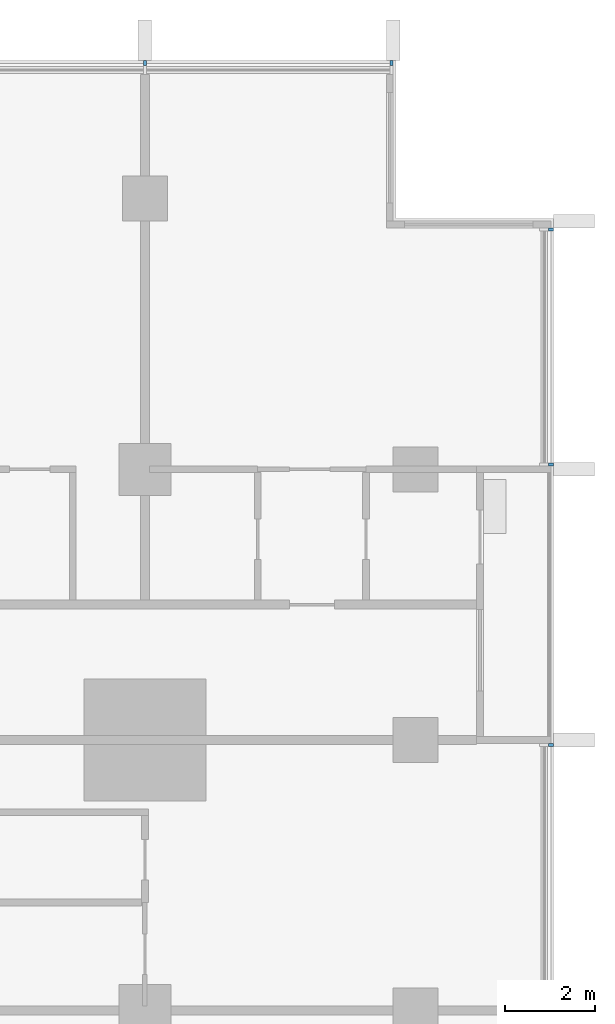
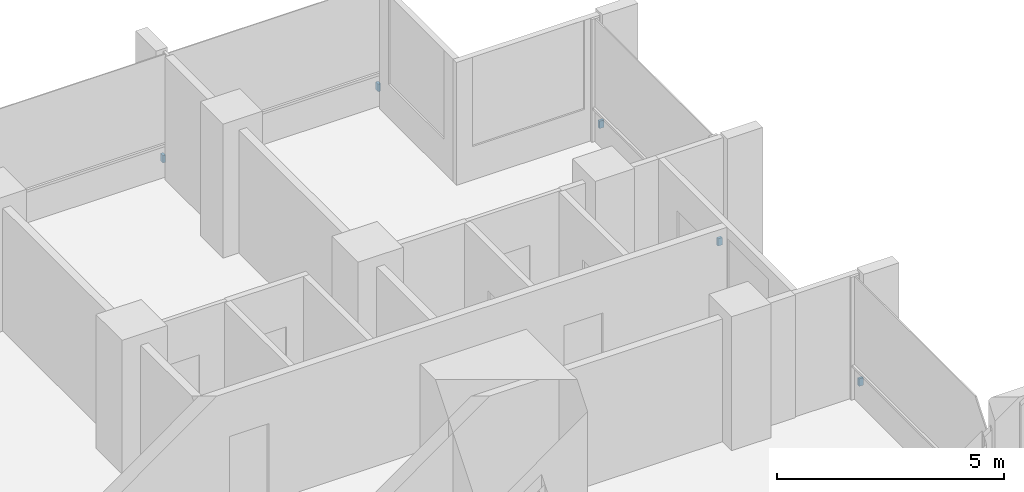
# One storey, part 16 of 17: 5 discrete accessories.
"""IFC4 building model written with IfcOpenShell, lengths in metres."""

import ifcopenshell
import ifcopenshell.guid

model = None  # the IFC model being written
_history = None  # IfcOwnerHistory: only IFC2X3 demands one
_inside = {}  # id of a spatial element -> (the spatial element, [elements in it])
_under = {}  # id of a project, library or spatial element -> (it, [spatial elements below it])
_declared = {}  # id of a project -> (the project, [libraries it declares])
_typed = {}  # id of a type object -> (the type object, [elements of that type])
_made_of = {}  # id of a material, layer set ... -> (it, [elements and type objects made of it])


def new_model(schema):
    """Start an empty IFC model of exactly this schema.

    Asked for "IFC4X3", IfcOpenShell would pick the latest addendum, in which some entities
    have other attributes; the version numbers below select the first issue.
    IFC2X3 requires an IfcOwnerHistory on every rooted entity: one is made here for all.
    """
    global model, _history
    if schema == "IFC4X3":
        model = ifcopenshell.file(schema_version=(4, 3, 0, 0))
    else:
        model = ifcopenshell.file(schema=schema)
    _inside.clear()
    _under.clear()
    _declared.clear()
    _typed.clear()
    _made_of.clear()
    _history = None
    if model.schema == "IFC2X3":
        org = make("IfcOrganization", Name="unknown")
        user = make(
            "IfcPersonAndOrganization",
            ThePerson=make("IfcPerson", FamilyName="unknown"),
            TheOrganization=org,
        )
        app = make(
            "IfcApplication",
            ApplicationDeveloper=org,
            Version="unknown",
            ApplicationFullName="unknown",
            ApplicationIdentifier="unknown",
        )
        _history = make(
            "IfcOwnerHistory",
            OwningUser=user,
            OwningApplication=app,
            ChangeAction="ADDED",
            CreationDate=0,
        )
    return model


def make(cls, **values):
    """One entity of the class cls with the attributes given. An attribute that is None is left unset."""
    return model.create_entity(
        cls, **{name: value for name, value in values.items() if value is not None}
    )


def rooted(cls, **values):
    """An entity with a GlobalId (a new one), such as an element, a storey or a relation."""
    return make(cls, GlobalId=ifcopenshell.guid.new(), OwnerHistory=_history, **values)


def si_unit(unit_type, name, prefix=None):
    """IfcSIUnit, for example si_unit("LENGTHUNIT", "METRE", prefix="MILLI")."""
    return make("IfcSIUnit", UnitType=unit_type, Prefix=prefix, Name=name)


def assignment(units):
    """IfcUnitAssignment: the units of a project."""
    return None if units is None else make("IfcUnitAssignment", Units=units)


def point(xyz):
    """IfcCartesianPoint."""
    return None if xyz is None else make("IfcCartesianPoint", Coordinates=xyz)


def direction(xyz):
    """IfcDirection."""
    return None if xyz is None else make("IfcDirection", DirectionRatios=xyz)


def frame(location, z_axis=None, x_axis=None):
    """IfcAxis2Placement3D, a coordinate frame: its origin and axes. An axis left out is left unset."""
    return make(
        "IfcAxis2Placement3D",
        Location=point(location),
        Axis=direction(z_axis),
        RefDirection=direction(x_axis),
    )


def frame_2d(location, x_axis=None):
    """IfcAxis2Placement2D, a coordinate frame in the plane: its origin and x axis."""
    return make(
        "IfcAxis2Placement2D", Location=point(location), RefDirection=direction(x_axis)
    )


def origin():
    """The frame at (0, 0, 0) with its axes left unset."""
    return frame((0.0, 0.0, 0.0))


def origin_2d():
    """The frame at (0, 0) in the plane with its x axis left unset."""
    return frame_2d((0.0, 0.0))


def place(relative_to, where):
    """IfcLocalPlacement: puts the frame where relative to a parent placement (None: the world)."""
    return make(
        "IfcLocalPlacement", PlacementRelTo=relative_to, RelativePlacement=where
    )


def context(
    kind, dimensions, precision=None, world=None, true_north=None, identifier=None
):
    """IfcGeometricRepresentationContext, for example the 3D "Model" context."""
    return make(
        "IfcGeometricRepresentationContext",
        ContextIdentifier=identifier,
        ContextType=kind,
        CoordinateSpaceDimension=dimensions,
        Precision=precision,
        WorldCoordinateSystem=world,
        TrueNorth=true_north,
    )


def subcontext(parent, identifier, kind, view, scale=None):
    """IfcGeometricRepresentationSubContext, for example "Body" below "Model"."""
    return make(
        "IfcGeometricRepresentationSubContext",
        ContextIdentifier=identifier,
        ContextType=kind,
        ParentContext=parent,
        TargetScale=scale,
        TargetView=view,
    )


def project(units=None, contexts=None):
    """IfcProject with its units and contexts."""
    return rooted(
        "IfcProject",
        Name="project",
        RepresentationContexts=contexts,
        UnitsInContext=assignment(units),
    )


def spatial(cls, under=None, at=None, **own):
    """A site, building, storey or space (cls), placed at a placement, below another one or the project."""
    s = rooted(cls, ObjectPlacement=at, **own)
    if under is not None:
        _under.setdefault(under.id(), (under, []))[1].append(s)
    return s


def profile(cls, at=None, kind="AREA", **sizes):
    """A parametric profile (cls). Its sizes go by their IFC names, for example OverallWidth=200.0."""
    return make(cls, ProfileType=kind, Position=at, **sizes)


def rectangle(**sizes):
    """IfcRectangleProfileDef."""
    return profile("IfcRectangleProfileDef", **sizes)


def extrude(swept, where, along, depth):
    """IfcExtrudedAreaSolid: the profile swept, set in the frame where, extruded along a direction by depth."""
    return make(
        "IfcExtrudedAreaSolid",
        SweptArea=swept,
        Position=where,
        ExtrudedDirection=direction(along),
        Depth=depth,
    )


def shape(context_of_items, identifier, shape_type, items):
    """IfcShapeRepresentation: the items that make up one representation, for example the "Body"."""
    return make(
        "IfcShapeRepresentation",
        ContextOfItems=context_of_items,
        RepresentationIdentifier=identifier,
        RepresentationType=shape_type,
        Items=items,
    )


def material(Name=None, Category=None):
    """IfcMaterial."""
    return make("IfcMaterial", Name=Name, Category=Category)


def made_of(thing, what):
    """Note that an element or type object is made of a material, layer set ...; save() writes the relation."""
    if what is not None:
        _made_of.setdefault(what.id(), (what, []))[1].append(thing)
    return thing


def type_object(cls, material=None, **own):
    """A type object (cls), such as IfcWallType, which elements share."""
    return made_of(rooted(cls, **own), material)


def element(
    cls,
    number,
    at=None,
    inside=None,
    cuts=None,
    type_object=None,
    material=None,
    context=None,
    identifier="Body",
    shape_type=None,
    held_by="IfcProductDefinitionShape",
    body=None,
    shapes=None,
    **own,
):
    """One element of the class cls, such as IfcWall. Its Tag is "e" and its number.

    at: its placement. inside: the storey or other place that contains it. cuts: it is an
    opening in that element (IfcRelVoidsElement). A single representation is given by context,
    identifier, shape_type and body (its items); several are given by shapes. held_by: the class
    of the entity that holds the representations. save() writes the other relations.
    """
    e = rooted(cls, Tag="e%d" % number, ObjectPlacement=at, **own)
    if body is not None:
        shapes = [shape(context, identifier, shape_type, body)]
    if shapes is not None:
        e.Representation = make(held_by, Representations=shapes)
    if inside is not None:
        _inside.setdefault(inside.id(), (inside, []))[1].append(e)
    if cuts is not None:
        rooted(
            "IfcRelVoidsElement", RelatingBuildingElement=cuts, RelatedOpeningElement=e
        )
    if type_object is not None:
        _typed.setdefault(type_object.id(), (type_object, []))[1].append(e)
    return made_of(e, material)


def aggregate(whole, parts):
    """IfcRelAggregates: a whole, such as a stair, and the parts it consists of."""
    return rooted("IfcRelAggregates", RelatingObject=whole, RelatedObjects=parts)


def save(model, path):
    """Write the relations noted so far, then the file.

    IfcRelAggregates (storeys below a building ...), IfcRelContainedInSpatialStructure (elements
    in a storey), IfcRelDefinesByType, IfcRelAssociatesMaterial and IfcRelDeclares: one each for
    every whole, place, type object, material and project.
    """
    for whole, parts in _under.values():
        aggregate(whole, parts)
    for where, things in _inside.values():
        rooted(
            "IfcRelContainedInSpatialStructure",
            RelatedElements=things,
            RelatingStructure=where,
        )
    for kind, things in _typed.values():
        rooted("IfcRelDefinesByType", RelatedObjects=things, RelatingType=kind)
    for what, things in _made_of.values():
        rooted("IfcRelAssociatesMaterial", RelatedObjects=things, RelatingMaterial=what)
    for by, libraries in _declared.values():
        rooted("IfcRelDeclares", RelatingContext=by, RelatedDefinitions=libraries)
    model.write(path)


model = new_model("IFC4")

# Units and contexts
model_context = context("Model", 3, precision=1e-05, world=origin(), true_north=direction((0.0, 1.0)))
body_context = subcontext(model_context, "Body", "Model", "MODEL_VIEW")
ifc_project = project(units=[si_unit("LENGTHUNIT", "METRE"), si_unit("AREAUNIT", "SQUARE_METRE"), si_unit("VOLUMEUNIT", "CUBIC_METRE"), si_unit("PLANEANGLEUNIT", "RADIAN"), si_unit("MASSUNIT", "GRAM", prefix="KILO")], contexts=[model_context])

# Site, building, storey
site_placement = place(None, origin())
site = spatial("IfcSite", under=ifc_project, at=site_placement, CompositionType="ELEMENT")
building_placement = place(site_placement, origin())
building = spatial("IfcBuilding", under=site, at=building_placement, Name="Finial Court Residences", CompositionType="ELEMENT")
storey_placement = place(building_placement, frame((0.0, 0.0, 113.5)))
storey = spatial("IfcBuildingStorey", under=building, at=storey_placement, Name="L28", CompositionType="ELEMENT", Elevation=113.5)

# Discrete accessories
ifc_material = material(Name="Stainless steel 316", Category="steel")
discrete_accessory_type = type_object("IfcDiscreteAccessoryType", Name="Fin bracket, stainless steel 65 x 110 x 200", PredefinedType="BRACKET", material=ifc_material)
for number, where, z_axis, x_axis, name in (
    (1, (16.5, 22.5048828125, 0.2998046875), (0.0, 0.0, 1.0), (1.0, 0.0, 0.0), "E-L28-FIN-N7-BRK"),
    (2, (21.967529296875, 22.5048828125, 0.2998046875), (0.0, 0.0, 1.0), (1.0, 0.0, 0.0), "E-L28-FIN-N8-BRK"),
):
    element("IfcDiscreteAccessory", number, at=place(storey_placement, frame(where, z_axis=z_axis, x_axis=x_axis)), inside=storey, type_object=discrete_accessory_type, Name=name, PredefinedType="BRACKET", context=body_context, shape_type="SweptSolid", body=[
        extrude(rectangle(XDim=0.06494140625, YDim=0.110107421875, at=origin_2d()), origin(), (0.0, 0.0, 1.0), 0.199951171875),
    ])
for number, where, z_axis, x_axis, name in (
    (3, (25.5048828125, 7.392578125, 0.2998046875), (0.0, 0.0, 1.0), (1.0, 0.0, 0.0), "E-L28-FIN-E13-BRK"),
    (4, (25.5048828125, 13.607421875, 0.2998046875), (0.0, 0.0, 1.0), (1.0, 0.0, 0.0), "E-L28-FIN-E14-BRK"),
    (5, (25.5048828125, 18.8173828125, 0.2998046875), (0.0, 0.0, 1.0), (1.0, 0.0, 0.0), "E-L28-FIN-E15-BRK"),
):
    element("IfcDiscreteAccessory", number, at=place(storey_placement, frame(where, z_axis=z_axis, x_axis=x_axis)), inside=storey, type_object=discrete_accessory_type, Name=name, PredefinedType="BRACKET", context=body_context, shape_type="SweptSolid", body=[
        extrude(rectangle(XDim=0.110107421875, YDim=0.06494140625, at=origin_2d()), origin(), (0.0, 0.0, 1.0), 0.199951171875),
    ])

save(model, "model.ifc")
